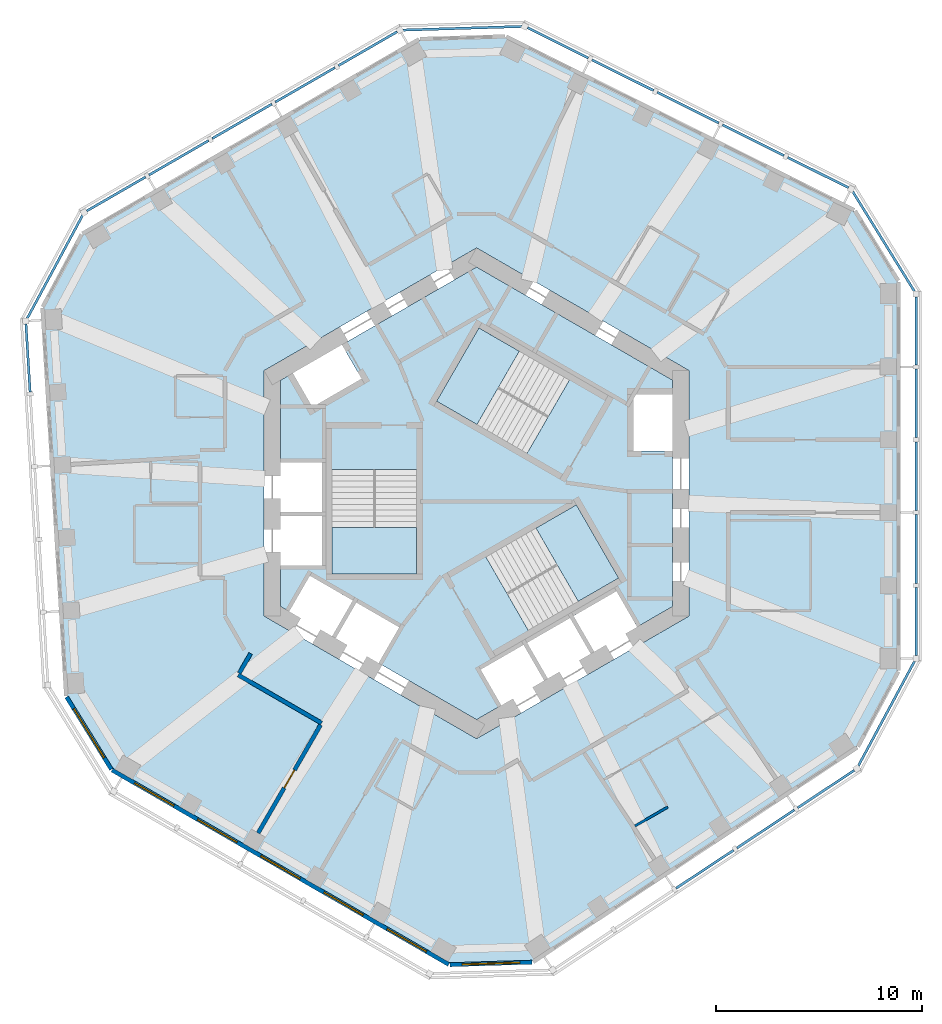
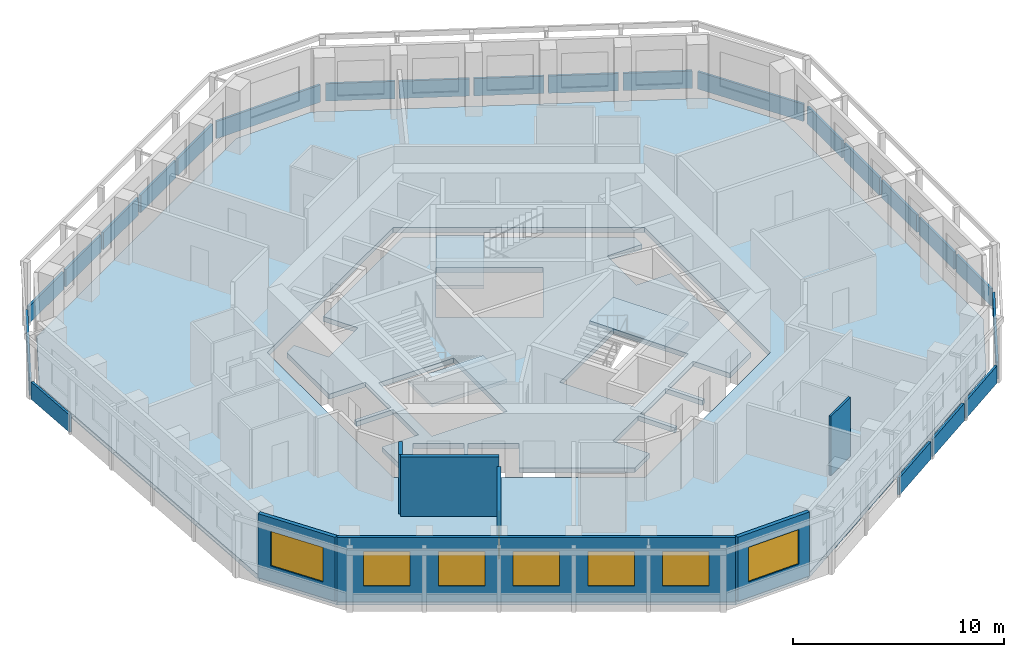
# One storey, part 3 of 11: 23 plates, 7 walls, 7 windows, 5 slabs, 1 door, 8 openings, 12 elements without a shape of their own.
"""IFC4 building model written with IfcOpenShell, lengths in metres."""

from ifc_helpers import new_model, si_unit, direction, frame, frame_2d, origin, origin_2d, place, context, subcontext, project, spatial, polyline, rectangle, outline, extrude, material, layer, layer_set, type_object, element, fill, aggregate, save


model = new_model("IFC4")

# Units and contexts
model_context = context("Model", 3, precision=1e-05, world=origin(), true_north=direction((0.0, 1.0)))
body_context = subcontext(model_context, "Body", "Model", "MODEL_VIEW")
ifc_project = project(units=[si_unit("LENGTHUNIT", "METRE"), si_unit("AREAUNIT", "SQUARE_METRE"), si_unit("VOLUMEUNIT", "CUBIC_METRE"), si_unit("PLANEANGLEUNIT", "RADIAN"), si_unit("MASSUNIT", "GRAM", prefix="KILO")], contexts=[model_context])

# Site, building, storey
site_placement = place(None, origin())
site = spatial("IfcSite", under=ifc_project, at=site_placement, CompositionType="ELEMENT")
building_placement = place(site_placement, origin())
building = spatial("IfcBuilding", under=site, at=building_placement, Name="Vanh Sen Convention Tower", CompositionType="ELEMENT")
storey_placement = place(building_placement, frame((0.0, 0.0, 243.89990234375)))
storey = spatial("IfcBuildingStorey", under=building, at=storey_placement, Name="L60", CompositionType="ELEMENT", Elevation=243.89990234375)

# Slabs
ifc_material_1 = material(Name="Concrete C40/50", Category="concrete")
ifc_layer_1 = layer(ifc_material_1, 0.280029296875)
ifc_layer_set_1 = layer_set([ifc_layer_1], Name="Concrete C40/50")
slab_type_1 = type_object("IfcSlabType", Name="Core slab 280", PredefinedType="FLOOR", material=ifc_layer_set_1)
slab_1_placement = place(storey_placement, frame((0.0, 0.0, -0.27978515625)))
element("IfcSlab", 1, at=slab_1_placement, inside=storey, type_object=slab_type_1, Name="Core slab L60", PredefinedType="FLOOR", context=body_context, shape_type="SweptSolid", body=[
    extrude(outline(polyline([(0.0, 10.9697265625), (9.5, 5.48486328125), (9.5, 4.800048828125), (7.60009765625, 4.800048828125), (7.60009765625, 2.050048828125), (9.5, 2.050048828125), (9.5, -5.48486328125), (7.781005859375, -6.477294921875), (6.781005859375, -4.7451171875), (4.70263671875, -5.9453125), (5.70263671875, -7.67724609375), (5.529296875, -7.777099609375), (4.529296875, -6.045166015625), (2.450927734375, -7.2451171875), (3.450927734375, -8.977294921875), (3.27783203125, -9.0771484375), (2.27783203125, -7.34521484375), (0.19921875, -8.545166015625), (1.19921875, -10.277099609375), (0.0, -10.9697265625), (-4.75, -8.227294921875), (-3.75, -6.4951171875), (-5.82861328125, -5.295166015625), (-6.82861328125, -7.027099609375), (-7.001708984375, -6.92724609375), (-6.001708984375, -5.1953125), (-8.080078125, -3.9951171875), (-9.080078125, -5.727294921875), (-9.5, -5.48486328125), (-9.5, -3.5), (-7.5, -3.5), (-7.5, -1.10009765625), (-9.5, -1.10009765625), (-9.5, -0.89990234375), (-7.5, -0.89990234375), (-7.5, 1.5), (-9.5, 1.5), (-9.5, 5.48486328125), (-8.906982421875, 5.8271484375), (-7.956787109375, 4.181884765625), (-5.575439453125, 5.556884765625), (-6.525390625, 7.2021484375), (0.0, 10.9697265625)]), holes=[polyline([(-7.0, 1.1494140625), (-7.0, -3.909912109375), (-2.89990234375, -3.909912109375), (-2.89990234375, 1.1494140625), (-7.0, 1.1494140625)]), polyline([(2.504638671875, -6.63671875), (6.88623046875, -4.107177734375), (4.836181640625, -0.556396484375), (0.45458984375, -3.086181640625), (2.504638671875, -6.63671875)]), polyline([(0.11376953125, 8.01708984375), (-1.936279296875, 4.466552734375), (2.4453125, 1.936767578125), (4.495361328125, 5.487548828125), (0.11376953125, 8.01708984375)])]), origin(), (0.0, 0.0, 1.0), 0.27978515625),
])
ifc_layer_2 = layer(ifc_material_1, 0.280029296875)
ifc_layer_set_2 = layer_set([ifc_layer_2], Name="Concrete C40/50")
slab_type_2 = type_object("IfcSlabType", Name="Floor slab 280 REI 120", PredefinedType="FLOOR", material=ifc_layer_set_2)
slab_2_placement = place(storey_placement, frame((0.0, 0.0, -0.27978515625)))
element("IfcSlab", 2, at=slab_2_placement, inside=storey, type_object=slab_type_2, Name="Floor slab L60 tower", PredefinedType="FLOOR", context=body_context, shape_type="SweptSolid", body=[
    extrude(outline(polyline([(20.39990234375, -8.602783203125), (20.39990234375, 10.265380859375), (18.289306640625, 13.67626953125), (1.403564453125, 22.09521484375), (-2.749755859375, 21.96826171875), (-19.090087890625, 12.5341796875), (-20.988525390625, 9.000732421875), (-19.8369140625, -9.83203125), (-17.650146484375, -13.365478515625), (-1.309814453125, -22.799560546875), (2.699462890625, -22.677001953125), (18.433349609375, -12.26318359375), (20.39990234375, -8.602783203125)]), holes=[polyline([(0.0, 11.893310546875), (-10.300048828125, 5.94677734375), (-10.300048828125, -5.94677734375), (0.0, -11.893310546875), (10.300048828125, -5.94677734375), (10.300048828125, 5.94677734375), (0.0, 11.893310546875)])]), origin(), (0.0, 0.0, 1.0), 0.27978515625),
])

# Curtain wall, plates
ifc_material_2 = material(Name="Concrete C50/60", Category="concrete")
curtain_wall_type = type_object("IfcCurtainWallType", Name="Outer skin office zone", PredefinedType="NOTDEFINED", material=ifc_material_2)
curtain_wall_1_placement = place(storey_placement, origin())
curtain_wall_1 = element("IfcCurtainWall", 3, at=curtain_wall_1_placement, inside=storey, type_object=curtain_wall_type, Name="OUTER SKIN E L60", PredefinedType="NOTDEFINED")
ifc_layer_3 = layer(ifc_material_2, 0.1201171875)
ifc_layer_set_3 = layer_set([ifc_layer_3], Name="Concrete C50/60")
plate_type = type_object("IfcPlateType", Name="Outer skin precast screen panel 120", PredefinedType="CURTAIN_PANEL", material=ifc_layer_set_3)
plate_1_placement = place(storey_placement, frame((21.300048828125, -6.2109375, 0.0), z_axis=(0.0, 0.0, 1.0), x_axis=(0.0, 1.0, 0.0)))
plate_1 = element("IfcPlate", 4, at=plate_1_placement, type_object=plate_type, Name="OUTER SKIN screen panel E-1", PredefinedType="CURTAIN_PANEL", context=body_context, shape_type="SweptSolid", body=[
    extrude(rectangle(XDim=3.28369140625, YDim=0.1201171875, at=origin_2d()), origin(), (0.0, 0.0, 1.0), 1.0),
])
plate_2_placement = place(storey_placement, frame((21.300048828125, -2.702392578125, 0.0), z_axis=(0.0, 0.0, 1.0), x_axis=(0.0, 1.0, 0.0)))
plate_2 = element("IfcPlate", 5, at=plate_2_placement, type_object=plate_type, Name="OUTER SKIN screen panel E-2", PredefinedType="CURTAIN_PANEL", context=body_context, shape_type="SweptSolid", body=[
    extrude(rectangle(XDim=3.333740234375, YDim=0.1201171875, at=origin_2d()), origin(), (0.0, 0.0, 1.0), 1.0),
])
plate_3_placement = place(storey_placement, frame((21.300048828125, 0.831298828125, 0.0), z_axis=(0.0, 0.0, 1.0), x_axis=(0.0, 1.0, 0.0)))
plate_3 = element("IfcPlate", 6, at=plate_3_placement, type_object=plate_type, Name="OUTER SKIN screen panel E-3", PredefinedType="CURTAIN_PANEL", context=body_context, shape_type="SweptSolid", body=[
    extrude(rectangle(XDim=3.33349609375, YDim=0.1201171875, at=origin_2d()), origin(), (0.0, 0.0, 1.0), 1.0),
])
plate_4_placement = place(storey_placement, frame((21.300048828125, 4.364990234375, 0.0), z_axis=(0.0, 0.0, 1.0), x_axis=(0.0, 1.0, 0.0)))
plate_4 = element("IfcPlate", 7, at=plate_4_placement, type_object=plate_type, Name="OUTER SKIN screen panel E-4", PredefinedType="CURTAIN_PANEL", context=body_context, shape_type="SweptSolid", body=[
    extrude(rectangle(XDim=3.33349609375, YDim=0.1201171875, at=origin_2d()), origin(), (0.0, 0.0, 1.0), 1.0),
])
plate_5_placement = place(storey_placement, frame((21.300048828125, 7.87353515625, 0.0), z_axis=(0.0, 0.0, 1.0), x_axis=(0.0, 1.0, 0.0)))
plate_5 = element("IfcPlate", 8, at=plate_5_placement, type_object=plate_type, Name="OUTER SKIN screen panel E-5", PredefinedType="CURTAIN_PANEL", context=body_context, shape_type="SweptSolid", body=[
    extrude(rectangle(XDim=3.28369140625, YDim=0.1201171875, at=origin_2d()), origin(), (0.0, 0.0, 1.0), 1.0),
])
aggregate(curtain_wall_1, [plate_1, plate_2, plate_3, plate_4, plate_5])

# Curtain wall, plate
curtain_wall_2_placement = place(storey_placement, origin())
curtain_wall_2 = element("IfcCurtainWall", 9, at=curtain_wall_2_placement, inside=storey, type_object=curtain_wall_type, Name="OUTER SKIN CH1 L60", PredefinedType="NOTDEFINED")
plate_6_placement = place(storey_placement, frame((19.726806640625, 12.20751953125, 0.0), z_axis=(0.0, 0.0, 1.0), x_axis=(-0.526216891938, 0.850350388157, 0.0)))
plate_6 = element("IfcPlate", 10, at=plate_6_placement, type_object=plate_type, Name="OUTER SKIN screen panel CH1-1", PredefinedType="CURTAIN_PANEL", context=body_context, shape_type="SweptSolid", body=[
    extrude(rectangle(XDim=5.6787109375, YDim=0.1201171875, at=origin_2d()), origin(), (0.0, 0.0, 1.0), 1.0),
])
aggregate(curtain_wall_2, [plate_6])

# Curtain wall, plates
curtain_wall_3_placement = place(storey_placement, origin())
curtain_wall_3 = element("IfcCurtainWall", 11, at=curtain_wall_3_placement, inside=storey, type_object=curtain_wall_type, Name="OUTER SKIN NE L60", PredefinedType="NOTDEFINED")
plate_7_placement = place(storey_placement, frame((16.55029296875, 15.549072265625, 0.0), z_axis=(0.0, 0.0, 1.0), x_axis=(-0.894930467757, 0.446205622868, 0.0)))
plate_7 = element("IfcPlate", 12, at=plate_7_placement, type_object=plate_type, Name="OUTER SKIN screen panel NE-1", PredefinedType="CURTAIN_PANEL", context=body_context, shape_type="SweptSolid", body=[
    extrude(rectangle(XDim=3.28369140625, YDim=0.1201171875, at=origin_2d()), origin(), (0.0, 0.0, 1.0), 1.0),
])
plate_8_placement = place(storey_placement, frame((13.410400390625, 17.114501953125, 0.0), z_axis=(0.0, 0.0, 1.0), x_axis=(-0.894935919121, 0.446194689197, 0.0)))
plate_8 = element("IfcPlate", 13, at=plate_8_placement, type_object=plate_type, Name="OUTER SKIN screen panel NE-2", PredefinedType="CURTAIN_PANEL", context=body_context, shape_type="SweptSolid", body=[
    extrude(rectangle(XDim=3.333740234375, YDim=0.1201171875, at=origin_2d()), origin(), (0.0, 0.0, 1.0), 1.0),
])
plate_9_placement = place(storey_placement, frame((10.248046875, 18.691162109375, 0.0), z_axis=(0.0, 0.0, 1.0), x_axis=(-0.894935919121, 0.446194689197, 0.0)))
plate_9 = element("IfcPlate", 14, at=plate_9_placement, type_object=plate_type, Name="OUTER SKIN screen panel NE-3", PredefinedType="CURTAIN_PANEL", context=body_context, shape_type="SweptSolid", body=[
    extrude(rectangle(XDim=3.333740234375, YDim=0.1201171875, at=origin_2d()), origin(), (0.0, 0.0, 1.0), 1.0),
])
plate_10_placement = place(storey_placement, frame((7.085693359375, 20.267822265625, 0.0), z_axis=(0.0, 0.0, 1.0), x_axis=(-0.894935919121, 0.446194689197, 0.0)))
plate_10 = element("IfcPlate", 15, at=plate_10_placement, type_object=plate_type, Name="OUTER SKIN screen panel NE-4", PredefinedType="CURTAIN_PANEL", context=body_context, shape_type="SweptSolid", body=[
    extrude(rectangle(XDim=3.333740234375, YDim=0.1201171875, at=origin_2d()), origin(), (0.0, 0.0, 1.0), 1.0),
])
plate_11_placement = place(storey_placement, frame((3.945556640625, 21.83349609375, 0.0), z_axis=(0.0, 0.0, 1.0), x_axis=(-0.894930467757, 0.446205622868, 0.0)))
plate_11 = element("IfcPlate", 16, at=plate_11_placement, type_object=plate_type, Name="OUTER SKIN screen panel NE-5", PredefinedType="CURTAIN_PANEL", context=body_context, shape_type="SweptSolid", body=[
    extrude(rectangle(XDim=3.28369140625, YDim=0.1201171875, at=origin_2d()), origin(), (0.0, 0.0, 1.0), 1.0),
])
aggregate(curtain_wall_3, [plate_7, plate_8, plate_9, plate_10, plate_11])

# Curtain wall, plate
curtain_wall_4_placement = place(storey_placement, origin())
curtain_wall_4 = element("IfcCurtainWall", 17, at=curtain_wall_4_placement, inside=storey, type_object=curtain_wall_type, Name="OUTER SKIN CH2 L60", PredefinedType="NOTDEFINED")
plate_12_placement = place(storey_placement, frame((-0.688720703125, 22.540283203125, 0.0), z_axis=(0.0, 0.0, 1.0), x_axis=(-0.999533430924, -0.030543746755, 0.0)))
plate_12 = element("IfcPlate", 18, at=plate_12_placement, type_object=plate_type, Name="OUTER SKIN screen panel CH2-1", PredefinedType="CURTAIN_PANEL", context=body_context, shape_type="SweptSolid", body=[
    extrude(rectangle(XDim=5.764404296875, YDim=0.1201171875, at=origin_2d()), origin(), (0.0, 0.0, 1.0), 1.0),
])
aggregate(curtain_wall_4, [plate_12])

# Curtain wall, plates
curtain_wall_5_placement = place(storey_placement, origin())
curtain_wall_5 = element("IfcCurtainWall", 19, at=curtain_wall_5_placement, inside=storey, type_object=curtain_wall_type, Name="OUTER SKIN NW L60", PredefinedType="NOTDEFINED")
plate_13_placement = place(storey_placement, frame((-5.271240234375, 21.5517578125, 0.0), z_axis=(0.0, 0.0, 1.0), x_axis=(-0.866026276448, -0.4999984885, 0.0)))
plate_13 = element("IfcPlate", 20, at=plate_13_placement, type_object=plate_type, Name="OUTER SKIN screen panel NW-1", PredefinedType="CURTAIN_PANEL", context=body_context, shape_type="SweptSolid", body=[
    extrude(rectangle(XDim=3.28369140625, YDim=0.1201171875, at=origin_2d()), origin(), (0.0, 0.0, 1.0), 1.0),
])
plate_14_placement = place(storey_placement, frame((-8.309814453125, 19.797607421875, 0.0), z_axis=(0.0, 0.0, 1.0), x_axis=(-0.866026276448, -0.4999984885, 0.0)))
plate_14 = element("IfcPlate", 21, at=plate_14_placement, type_object=plate_type, Name="OUTER SKIN screen panel NW-2", PredefinedType="CURTAIN_PANEL", context=body_context, shape_type="SweptSolid", body=[
    extrude(rectangle(XDim=3.33349609375, YDim=0.1201171875, at=origin_2d()), origin(), (0.0, 0.0, 1.0), 1.0),
])
plate_15_placement = place(storey_placement, frame((-11.369873046875, 18.03076171875, 0.0), z_axis=(0.0, 0.0, 1.0), x_axis=(-0.866026276448, -0.4999984885, 0.0)))
plate_15 = element("IfcPlate", 22, at=plate_15_placement, type_object=plate_type, Name="OUTER SKIN screen panel NW-3", PredefinedType="CURTAIN_PANEL", context=body_context, shape_type="SweptSolid", body=[
    extrude(rectangle(XDim=3.33349609375, YDim=0.1201171875, at=origin_2d()), origin(), (0.0, 0.0, 1.0), 1.0),
])
plate_16_placement = place(storey_placement, frame((-14.43017578125, 16.263916015625, 0.0), z_axis=(0.0, 0.0, 1.0), x_axis=(-0.866014058921, -0.500019649364, 0.0)))
plate_16 = element("IfcPlate", 23, at=plate_16_placement, type_object=plate_type, Name="OUTER SKIN screen panel NW-4", PredefinedType="CURTAIN_PANEL", context=body_context, shape_type="SweptSolid", body=[
    extrude(rectangle(XDim=3.333740234375, YDim=0.1201171875, at=origin_2d()), origin(), (0.0, 0.0, 1.0), 1.0),
])
plate_17_placement = place(storey_placement, frame((-17.46875, 14.509521484375, 0.0), z_axis=(0.0, 0.0, 1.0), x_axis=(-0.866033257659, -0.499986396443, 0.0)))
plate_17 = element("IfcPlate", 24, at=plate_17_placement, type_object=plate_type, Name="OUTER SKIN screen panel NW-5", PredefinedType="CURTAIN_PANEL", context=body_context, shape_type="SweptSolid", body=[
    extrude(rectangle(XDim=3.28369140625, YDim=0.1201171875, at=origin_2d()), origin(), (0.0, 0.0, 1.0), 1.0),
])
aggregate(curtain_wall_5, [plate_13, plate_14, plate_15, plate_16, plate_17])

# Curtain wall, plate
curtain_wall_6_placement = place(storey_placement, origin())
curtain_wall_6 = element("IfcCurtainWall", 25, at=curtain_wall_6_placement, inside=storey, type_object=curtain_wall_type, Name="OUTER SKIN CH3 L60", PredefinedType="NOTDEFINED")
plate_18_placement = place(storey_placement, frame((-20.435302734375, 10.980224609375, 0.0), z_axis=(0.0, 0.0, 1.0), x_axis=(-0.473307367584, -0.880897346909, 0.0)))
plate_18 = element("IfcPlate", 26, at=plate_18_placement, type_object=plate_type, Name="OUTER SKIN screen panel CH3-1", PredefinedType="CURTAIN_PANEL", context=body_context, shape_type="SweptSolid", body=[
    extrude(rectangle(XDim=5.6787109375, YDim=0.1201171875, at=origin_2d()), origin(), (0.0, 0.0, 1.0), 1.0),
])
aggregate(curtain_wall_6, [plate_18])

curtain_wall_7_placement = place(storey_placement, origin())
curtain_wall_7 = element("IfcCurtainWall", 27, at=curtain_wall_7_placement, inside=storey, type_object=curtain_wall_type, Name="OUTER SKIN W L60", PredefinedType="NOTDEFINED")
plate_19_placement = place(storey_placement, frame((-21.740966796875, 6.55859375, 0.0), z_axis=(0.0, 0.0, 1.0), x_axis=(0.061043313312, -0.998135118058, 0.0)))
plate_19 = element("IfcPlate", 28, at=plate_19_placement, type_object=plate_type, Name="OUTER SKIN screen panel W-1", PredefinedType="CURTAIN_PANEL", context=body_context, shape_type="SweptSolid", body=[
    extrude(rectangle(XDim=3.28369140625, YDim=0.1201171875, at=origin_2d()), origin(), (0.0, 0.0, 1.0), 1.0),
])
aggregate(curtain_wall_7, [plate_19])

# Curtain wall, plates
curtain_wall_8_placement = place(storey_placement, origin())
curtain_wall_8 = element("IfcCurtainWall", 29, at=curtain_wall_8_placement, inside=storey, type_object=curtain_wall_type, Name="OUTER SKIN SE L60", PredefinedType="NOTDEFINED")
plate_20_placement = place(storey_placement, frame((11.06298828125, -18.220703125, 0.0), z_axis=(0.0, 0.0, 1.0), x_axis=(0.833896418343, 0.551920975752, 0.0)))
plate_20 = element("IfcPlate", 30, at=plate_20_placement, type_object=plate_type, Name="OUTER SKIN screen panel SE-3", PredefinedType="CURTAIN_PANEL", context=body_context, shape_type="SweptSolid", body=[
    extrude(rectangle(XDim=3.333740234375, YDim=0.1201171875, at=origin_2d()), origin(), (0.0, 0.0, 1.0), 1.0),
])
plate_21_placement = place(storey_placement, frame((14.009765625, -16.270263671875, 0.0), z_axis=(0.0, 0.0, 1.0), x_axis=(0.833874262143, 0.551954450055, 0.0)))
plate_21 = element("IfcPlate", 31, at=plate_21_placement, type_object=plate_type, Name="OUTER SKIN screen panel SE-4", PredefinedType="CURTAIN_PANEL", context=body_context, shape_type="SweptSolid", body=[
    extrude(rectangle(XDim=3.33349609375, YDim=0.1201171875, at=origin_2d()), origin(), (0.0, 0.0, 1.0), 1.0),
])
plate_22_placement = place(storey_placement, frame((16.935546875, -14.333740234375, 0.0), z_axis=(0.0, 0.0, 1.0), x_axis=(0.833896418343, 0.551920975752, 0.0)))
plate_22 = element("IfcPlate", 32, at=plate_22_placement, type_object=plate_type, Name="OUTER SKIN screen panel SE-5", PredefinedType="CURTAIN_PANEL", context=body_context, shape_type="SweptSolid", body=[
    extrude(rectangle(XDim=3.28369140625, YDim=0.1201171875, at=origin_2d()), origin(), (0.0, 0.0, 1.0), 1.0),
])
aggregate(curtain_wall_8, [plate_20, plate_21, plate_22])

# Curtain wall, plate
curtain_wall_9_placement = place(storey_placement, origin())
curtain_wall_9 = element("IfcCurtainWall", 33, at=curtain_wall_9_placement, inside=storey, type_object=curtain_wall_type, Name="OUTER SKIN CH6 L60", PredefinedType="NOTDEFINED")
plate_23_placement = place(storey_placement, frame((19.864990234375, -10.673828125, 0.0), z_axis=(0.0, 0.0, 1.0), x_axis=(0.473313517396, 0.880894042579, 0.0)))
plate_23 = element("IfcPlate", 34, at=plate_23_placement, type_object=plate_type, Name="OUTER SKIN screen panel CH6-1", PredefinedType="CURTAIN_PANEL", context=body_context, shape_type="SweptSolid", body=[
    extrude(rectangle(XDim=5.76416015625, YDim=0.1201171875, at=origin_2d()), origin(), (0.0, 0.0, 1.0), 1.0),
])
aggregate(curtain_wall_9, [plate_23])

# Stair, slab
ifc_material_3 = material(Name="Concrete C50/60", Category="concrete")
stair_type_1 = type_object("IfcStairType", Name="Exit stair ST1 22 risers at 168.2", PredefinedType="HALF_TURN_STAIR", material=ifc_material_3)
stair_1_placement = place(storey_placement, origin())
stair_1 = element("IfcStair", 35, at=stair_1_placement, inside=storey, type_object=stair_type_1, Name="Exit stair ST1 L60", PredefinedType="HALF_TURN_STAIR")
ifc_layer_4 = layer(ifc_material_1, 0.199951171875)
ifc_layer_set_4 = layer_set([ifc_layer_4], Name="Concrete C40/50")
slab_type_3 = type_object("IfcSlabType", Name="Stair landing 200", PredefinedType="LANDING", material=ifc_layer_set_4)
slab_3_placement = place(storey_placement, frame((0.0, 0.0, 1.650146484375)))
slab_3 = element("IfcSlab", 36, at=slab_3_placement, type_object=slab_type_3, Name="ST1 landing 1", PredefinedType="LANDING", context=body_context, shape_type="SweptSolid", body=[
    extrude(outline(polyline([(2.07177734375, 6.88671875), (0.11376953125, 8.01708984375), (-1.936279296875, 4.466552734375), (0.021728515625, 3.336181640625), (2.07177734375, 6.88671875)])), origin(), (0.0, 0.0, 1.0), 0.199951171875),
])
aggregate(stair_1, [slab_3])

stair_type_2 = type_object("IfcStairType", Name="Exit stair ST2 22 risers at 168.2", PredefinedType="HALF_TURN_STAIR", material=ifc_material_3)
stair_2_placement = place(storey_placement, origin())
stair_2 = element("IfcStair", 37, at=stair_2_placement, inside=storey, type_object=stair_type_2, Name="Exit stair ST2 L60", PredefinedType="HALF_TURN_STAIR")
slab_4_placement = place(storey_placement, frame((0.0, 0.0, 1.650146484375)))
slab_4 = element("IfcSlab", 38, at=slab_4_placement, type_object=slab_type_3, Name="ST2 landing 1", PredefinedType="LANDING", context=body_context, shape_type="SweptSolid", body=[
    extrude(outline(polyline([(-7.0, -1.6494140625), (-7.0, -3.909912109375), (-2.89990234375, -3.909912109375), (-2.89990234375, -1.6494140625), (-7.0, -1.6494140625)])), origin(), (0.0, 0.0, 1.0), 0.199951171875),
])
aggregate(stair_2, [slab_4])

stair_type_3 = type_object("IfcStairType", Name="Exit stair ST3 22 risers at 168.2", PredefinedType="HALF_TURN_STAIR", material=ifc_material_3)
stair_3_placement = place(storey_placement, origin())
stair_3 = element("IfcStair", 39, at=stair_3_placement, inside=storey, type_object=stair_type_3, Name="Exit stair ST3 L60", PredefinedType="HALF_TURN_STAIR")
slab_5_placement = place(storey_placement, frame((0.0, 0.0, 1.650146484375)))
slab_5 = element("IfcSlab", 40, at=slab_5_placement, type_object=slab_type_3, Name="ST3 landing 1", PredefinedType="LANDING", context=body_context, shape_type="SweptSolid", body=[
    extrude(outline(polyline([(4.92822265625, -5.237548828125), (6.88623046875, -4.107177734375), (4.836181640625, -0.556396484375), (2.87841796875, -1.686767578125), (4.92822265625, -5.237548828125)])), origin(), (0.0, 0.0, 1.0), 0.199951171875),
])
aggregate(stair_3, [slab_5])

# Walls
ifc_material_4 = material(Name="Moisture-resistant gypsum board on steel studs", Category="steel")
ifc_layer_5 = layer(ifc_material_4, 0.1201171875)
ifc_layer_set_5 = layer_set([ifc_layer_5], Name="Moisture-resistant gypsum board on steel studs")
wall_type_1 = type_object("IfcWallType", Name="Bathroom partition 120", PredefinedType="PARTITIONING", material=ifc_layer_set_5)
wall_1_placement = place(storey_placement, frame((7.67578125, -16.123291015625, 0.0), z_axis=(0.0, 0.0, 1.0), x_axis=(0.866023842607, 0.500002704028, 0.0)))
element("IfcWall", 41, at=wall_1_placement, inside=storey, type_object=wall_type_1, Name="Bathroom partition 120", PredefinedType="PARTITIONING", context=body_context, shape_type="SweptSolid", body=[
    extrude(rectangle(XDim=1.8349609375, YDim=0.1201171875, at=frame_2d((0.91748046875, 0.0))), origin(), (0.0, 0.0, 1.0), 3.420166015625),
])
ifc_material_5 = material(Name="Gypsum board on steel studs with mineral wool", Category="steel")
ifc_layer_6 = layer(ifc_material_5, 0.199951171875)
ifc_layer_set_6 = layer_set([ifc_layer_6], Name="Gypsum board on steel studs with mineral wool")
wall_type_2 = type_object("IfcWallType", Name="Corridor partition wall 200", PredefinedType="PARTITIONING", material=ifc_layer_set_6)
wall_2_placement = place(storey_placement, frame((-11.551025390625, -8.80517578125, 0.0), z_axis=(0.0, 0.0, 1.0), x_axis=(0.866038310922, -0.499977643516, 0.0)))
element("IfcWall", 42, at=wall_2_placement, inside=storey, type_object=wall_type_2, Name="Corridor partition wall 200", PredefinedType="PARTITIONING", context=body_context, shape_type="SweptSolid", body=[
    extrude(rectangle(XDim=4.665283203125, YDim=0.199951171875, at=frame_2d((2.33251953125, 0.0))), origin(), (0.0, 0.0, 1.0), 3.420166015625),
])
wall_3_placement = place(storey_placement, frame((-10.95068359375, -7.764892578125, 0.0), z_axis=(0.0, 0.0, 1.0), x_axis=(-0.499978356969, -0.866037899034, 0.0)))
element("IfcWall", 43, at=wall_3_placement, inside=storey, type_object=wall_type_2, Name="Corridor partition wall 200", PredefinedType="PARTITIONING", context=body_context, shape_type="SweptSolid", body=[
    extrude(rectangle(XDim=1.10107421875, YDim=0.199951171875, at=frame_2d((0.550537109375, 0.0))), origin(), (0.0, 0.0, 1.0), 3.420166015625),
])

# Wall, opening, door
wall_4_placement = place(storey_placement, frame((-10.585205078125, -16.462890625, 0.0), z_axis=(0.0, 0.0, 1.0), x_axis=(0.499993802756, 0.866028981735, 0.0)))
wall_4 = element("IfcWall", 44, at=wall_4_placement, inside=storey, type_object=wall_type_2, Name="Corridor partition wall 200", PredefinedType="PARTITIONING", context=body_context, shape_type="SweptSolid", body=[
    extrude(rectangle(XDim=6.048828125, YDim=0.199951171875, at=frame_2d((3.0244140625, 0.0))), origin(), (0.0, 0.0, 1.0), 2.8701171875),
])
opening_1_placement = place(wall_4_placement, frame((2.5244140625, 0.0, 0.0)))
opening_1 = element("IfcOpeningElement", 45, at=opening_1_placement, cuts=wall_4, Name="Opening D59109", PredefinedType="OPENING", context=body_context, shape_type="SweptSolid", body=[
    extrude(rectangle(XDim=1.0, YDim=2.10009765625, at=frame_2d((0.5, 1.050048828125))), frame((0.0, 0.10986328125, 0.0), z_axis=(0.0, -1.0, 0.0), x_axis=(1.0, 0.0, 0.0)), (0.0, 0.0, 1.0), 0.219970703125),
])
ifc_material_6 = material(Name="Glazed fire door in steel frame", Category="steel")
door_type = type_object("IfcDoorType", Name="Tenant entrance door 1000", OperationType="SINGLE_SWING_LEFT", PredefinedType="DOOR", material=ifc_material_6)
door_placement = place(opening_1_placement, origin())
door = element("IfcDoor", 46, at=door_placement, inside=storey, type_object=door_type, Name="Tenant suite entrance door D59109", OperationType="SINGLE_SWING_LEFT", OverallHeight=2.10009765625, OverallWidth=1.0, PredefinedType="DOOR", context=body_context, shape_type="SweptSolid", body=[
    extrude(rectangle(XDim=1.0, YDim=2.10009765625, at=frame_2d((0.5, 1.050048828125))), frame((0.0, 0.02490234375, 0.0), z_axis=(0.0, -1.0, 0.0), x_axis=(1.0, 0.0, 0.0)), (0.0, 0.0, 1.0), 0.050048828125),
])
fill(opening_1, door)

# Wall, opening, window
ifc_material_7 = material(Name="Insulated lightweight infill wall")
ifc_layer_7 = layer(ifc_material_7, 0.199951171875)
ifc_layer_set_7 = layer_set([ifc_layer_7], Name="Insulated lightweight infill wall")
wall_type_3 = type_object("IfcWallType", Name="External wall 200", PredefinedType="STANDARD", material=ifc_layer_set_7)
wall_5_placement = place(storey_placement, frame((-19.872802734375, -9.869140625, 0.0), z_axis=(0.0, 0.0, 1.0), x_axis=(0.52626914263, -0.850318051975, 0.0)))
wall_5 = element("IfcWall", 47, at=wall_5_placement, inside=storey, type_object=wall_type_3, Name="External wall CH4 L60", PredefinedType="STANDARD", context=body_context, shape_type="SweptSolid", body=[
    extrude(rectangle(XDim=4.130126953125, YDim=0.199951171875, at=frame_2d((2.06494140625, 0.0))), origin(), (0.0, 0.0, 1.0), 3.7001953125),
])
opening_2_placement = place(wall_5_placement, frame((0.6650390625, 0.0, 0.89990234375)))
opening_2 = element("IfcOpeningElement", 48, at=opening_2_placement, cuts=wall_5, Name="Opening WO4-CH41", PredefinedType="OPENING", context=body_context, shape_type="SweptSolid", body=[
    extrude(rectangle(XDim=2.800048828125, YDim=2.0, at=frame_2d((1.39990234375, 1.0))), frame((0.0, 0.10986328125, 0.0), z_axis=(0.0, -1.0, 0.0), x_axis=(1.0, 0.0, 0.0)), (0.0, 0.0, 1.0), 0.219970703125),
])
ifc_material_8 = material(Name="Aluminium frame with clear low-emissivity glass", Category="aluminium")
window_type_1 = type_object("IfcWindowType", Name="Office window 2800 x 2000", PartitioningType="SINGLE_PANEL", PredefinedType="WINDOW", material=ifc_material_8)
window_1_placement = place(opening_2_placement, origin())
window_1 = element("IfcWindow", 49, at=window_1_placement, inside=storey, type_object=window_type_1, Name="Window WO4-CH41", OverallHeight=2.0, OverallWidth=2.800048828125, PartitioningType="SINGLE_PANEL", PredefinedType="WINDOW", context=body_context, shape_type="SweptSolid", body=[
    extrude(rectangle(XDim=2.800048828125, YDim=2.0, at=frame_2d((1.39990234375, 1.0))), frame((0.0, 0.030029296875, 0.0), z_axis=(0.0, -1.0, 0.0), x_axis=(1.0, 0.0, 0.0)), (0.0, 0.0, 1.0), 0.06005859375),
])
fill(opening_2, window_1)

# Wall, openings, windows
wall_6_placement = place(storey_placement, frame((-17.664306640625, -13.4150390625, 0.0), z_axis=(0.0, 0.0, 1.0), x_axis=(0.866026555358, -0.49999800541, 0.0)))
wall_6 = element("IfcWall", 50, at=wall_6_placement, inside=storey, type_object=wall_type_3, Name="External wall SW L60", PredefinedType="STANDARD", context=body_context, shape_type="SweptSolid", body=[
    extrude(rectangle(XDim=18.84130859375, YDim=0.199951171875, at=frame_2d((9.420654296875, 0.0))), origin(), (0.0, 0.0, 1.0), 3.7001953125),
])
opening_3_placement = place(wall_6_placement, frame((1.254150390625, 0.0, 0.89990234375)))
opening_3 = element("IfcOpeningElement", 51, at=opening_3_placement, cuts=wall_6, Name="Opening WO3-SW1", PredefinedType="OPENING", context=body_context, shape_type="SweptSolid", body=[
    extrude(rectangle(XDim=2.199951171875, YDim=2.0, at=frame_2d((1.10009765625, 1.0))), frame((0.0, 0.10986328125, 0.0), z_axis=(0.0, -1.0, 0.0), x_axis=(1.0, 0.0, 0.0)), (0.0, 0.0, 1.0), 0.219970703125),
])
opening_4_placement = place(wall_6_placement, frame((4.787841796875, 0.0, 0.89990234375)))
opening_4 = element("IfcOpeningElement", 52, at=opening_4_placement, cuts=wall_6, Name="Opening WO3-SW2", PredefinedType="OPENING", context=body_context, shape_type="SweptSolid", body=[
    extrude(rectangle(XDim=2.199951171875, YDim=2.0, at=frame_2d((1.10009765625, 1.0))), frame((0.0, 0.10986328125, 0.0), z_axis=(0.0, -1.0, 0.0), x_axis=(1.0, 0.0, 0.0)), (0.0, 0.0, 1.0), 0.219970703125),
])
opening_5_placement = place(wall_6_placement, frame((8.321533203125, 0.0, 0.89990234375)))
opening_5 = element("IfcOpeningElement", 53, at=opening_5_placement, cuts=wall_6, Name="Opening WO3-SW3", PredefinedType="OPENING", context=body_context, shape_type="SweptSolid", body=[
    extrude(rectangle(XDim=2.199951171875, YDim=2.0, at=frame_2d((1.10009765625, 1.0))), frame((0.0, 0.10986328125, 0.0), z_axis=(0.0, -1.0, 0.0), x_axis=(1.0, 0.0, 0.0)), (0.0, 0.0, 1.0), 0.219970703125),
])
opening_6_placement = place(wall_6_placement, frame((11.85498046875, 0.0, 0.89990234375)))
opening_6 = element("IfcOpeningElement", 54, at=opening_6_placement, cuts=wall_6, Name="Opening WO3-SW4", PredefinedType="OPENING", context=body_context, shape_type="SweptSolid", body=[
    extrude(rectangle(XDim=2.199951171875, YDim=2.0, at=frame_2d((1.10009765625, 1.0))), frame((0.0, 0.10986328125, 0.0), z_axis=(0.0, -1.0, 0.0), x_axis=(1.0, 0.0, 0.0)), (0.0, 0.0, 1.0), 0.219970703125),
])
opening_7_placement = place(wall_6_placement, frame((15.388671875, 0.0, 0.89990234375)))
opening_7 = element("IfcOpeningElement", 55, at=opening_7_placement, cuts=wall_6, Name="Opening WO3-SW5", PredefinedType="OPENING", context=body_context, shape_type="SweptSolid", body=[
    extrude(rectangle(XDim=2.199951171875, YDim=2.0, at=frame_2d((1.10009765625, 1.0))), frame((0.0, 0.10986328125, 0.0), z_axis=(0.0, -1.0, 0.0), x_axis=(1.0, 0.0, 0.0)), (0.0, 0.0, 1.0), 0.219970703125),
])
window_type_2 = type_object("IfcWindowType", Name="Office window 2200 x 2000", PartitioningType="SINGLE_PANEL", PredefinedType="WINDOW", material=ifc_material_8)
window_2_placement = place(opening_3_placement, origin())
window_2 = element("IfcWindow", 56, at=window_2_placement, inside=storey, type_object=window_type_2, Name="Window WO3-SW1", OverallHeight=2.0, OverallWidth=2.199951171875, PartitioningType="SINGLE_PANEL", PredefinedType="WINDOW", context=body_context, shape_type="SweptSolid", body=[
    extrude(rectangle(XDim=2.199951171875, YDim=2.0, at=frame_2d((1.10009765625, 1.0))), frame((0.0, 0.030029296875, 0.0), z_axis=(0.0, -1.0, 0.0), x_axis=(1.0, 0.0, 0.0)), (0.0, 0.0, 1.0), 0.06005859375),
])
fill(opening_3, window_2)
window_3_placement = place(opening_4_placement, origin())
window_3 = element("IfcWindow", 57, at=window_3_placement, inside=storey, type_object=window_type_2, Name="Window WO3-SW2", OverallHeight=2.0, OverallWidth=2.199951171875, PartitioningType="SINGLE_PANEL", PredefinedType="WINDOW", context=body_context, shape_type="SweptSolid", body=[
    extrude(rectangle(XDim=2.199951171875, YDim=2.0, at=frame_2d((1.10009765625, 1.0))), frame((0.0, 0.030029296875, 0.0), z_axis=(0.0, -1.0, 0.0), x_axis=(1.0, 0.0, 0.0)), (0.0, 0.0, 1.0), 0.06005859375),
])
fill(opening_4, window_3)
window_4_placement = place(opening_5_placement, origin())
window_4 = element("IfcWindow", 58, at=window_4_placement, inside=storey, type_object=window_type_2, Name="Window WO3-SW3", OverallHeight=2.0, OverallWidth=2.199951171875, PartitioningType="SINGLE_PANEL", PredefinedType="WINDOW", context=body_context, shape_type="SweptSolid", body=[
    extrude(rectangle(XDim=2.199951171875, YDim=2.0, at=frame_2d((1.10009765625, 1.0))), frame((0.0, 0.030029296875, 0.0), z_axis=(0.0, -1.0, 0.0), x_axis=(1.0, 0.0, 0.0)), (0.0, 0.0, 1.0), 0.06005859375),
])
fill(opening_5, window_4)
window_5_placement = place(opening_6_placement, origin())
window_5 = element("IfcWindow", 59, at=window_5_placement, inside=storey, type_object=window_type_2, Name="Window WO3-SW4", OverallHeight=2.0, OverallWidth=2.199951171875, PartitioningType="SINGLE_PANEL", PredefinedType="WINDOW", context=body_context, shape_type="SweptSolid", body=[
    extrude(rectangle(XDim=2.199951171875, YDim=2.0, at=frame_2d((1.10009765625, 1.0))), frame((0.0, 0.030029296875, 0.0), z_axis=(0.0, -1.0, 0.0), x_axis=(1.0, 0.0, 0.0)), (0.0, 0.0, 1.0), 0.06005859375),
])
fill(opening_6, window_5)
window_6_placement = place(opening_7_placement, origin())
window_6 = element("IfcWindow", 60, at=window_6_placement, inside=storey, type_object=window_type_2, Name="Window WO3-SW5", OverallHeight=2.0, OverallWidth=2.199951171875, PartitioningType="SINGLE_PANEL", PredefinedType="WINDOW", context=body_context, shape_type="SweptSolid", body=[
    extrude(rectangle(XDim=2.199951171875, YDim=2.0, at=frame_2d((1.10009765625, 1.0))), frame((0.0, 0.030029296875, 0.0), z_axis=(0.0, -1.0, 0.0), x_axis=(1.0, 0.0, 0.0)), (0.0, 0.0, 1.0), 0.06005859375),
])
fill(opening_7, window_6)

# Wall, opening, window
wall_7_placement = place(storey_placement, frame((-1.294189453125, -22.84912109375, 0.0), z_axis=(0.0, 0.0, 1.0), x_axis=(0.999533952558, 0.030526671678, 0.0)))
wall_7 = element("IfcWall", 61, at=wall_7_placement, inside=storey, type_object=wall_type_3, Name="External wall CH5 L60", PredefinedType="STANDARD", context=body_context, shape_type="SweptSolid", body=[
    extrude(rectangle(XDim=3.98291015625, YDim=0.199951171875, at=frame_2d((1.991455078125, 0.0))), origin(), (0.0, 0.0, 1.0), 3.7001953125),
])
opening_8_placement = place(wall_7_placement, frame((0.59130859375, 0.0, 0.89990234375)))
opening_8 = element("IfcOpeningElement", 62, at=opening_8_placement, cuts=wall_7, Name="Opening WO4-CH51", PredefinedType="OPENING", context=body_context, shape_type="SweptSolid", body=[
    extrude(rectangle(XDim=2.800048828125, YDim=2.0, at=frame_2d((1.39990234375, 1.0))), frame((0.0, 0.10986328125, 0.0), z_axis=(0.0, -1.0, 0.0), x_axis=(1.0, 0.0, 0.0)), (0.0, 0.0, 1.0), 0.219970703125),
])
window_7_placement = place(opening_8_placement, origin())
window_7 = element("IfcWindow", 63, at=window_7_placement, inside=storey, type_object=window_type_1, Name="Window WO4-CH51", OverallHeight=2.0, OverallWidth=2.800048828125, PartitioningType="SINGLE_PANEL", PredefinedType="WINDOW", context=body_context, shape_type="SweptSolid", body=[
    extrude(rectangle(XDim=2.800048828125, YDim=2.0, at=frame_2d((1.39990234375, 1.0))), frame((0.0, 0.030029296875, 0.0), z_axis=(0.0, -1.0, 0.0), x_axis=(1.0, 0.0, 0.0)), (0.0, 0.0, 1.0), 0.06005859375),
])
fill(opening_8, window_7)

save(model, "model.ifc")
